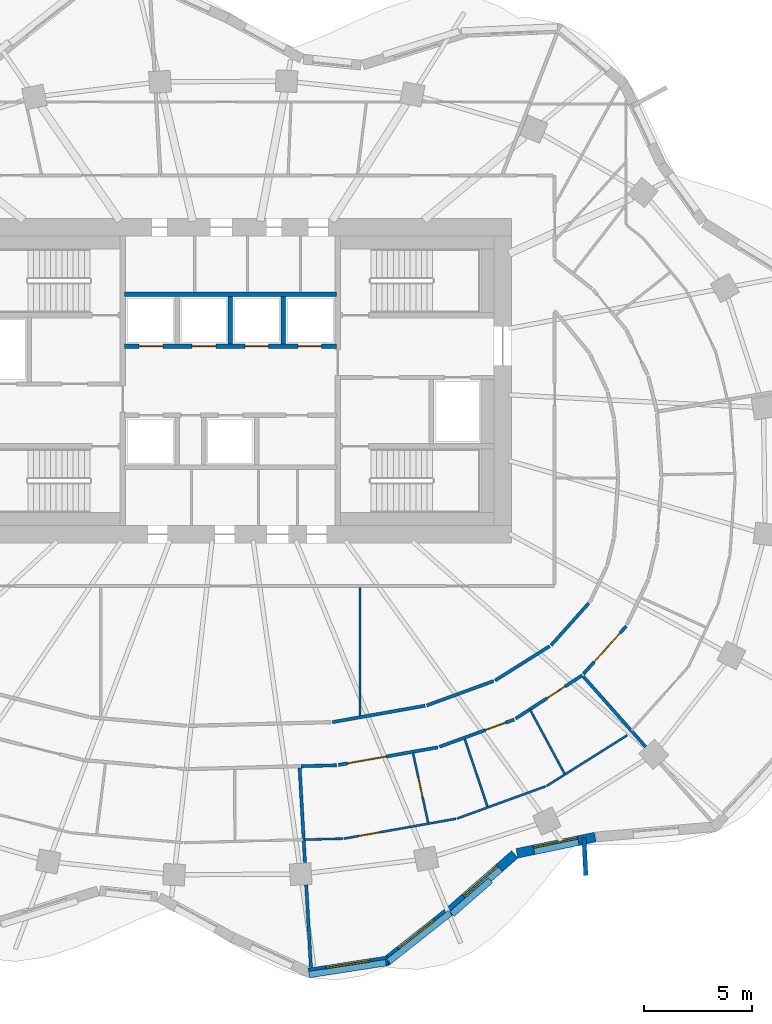
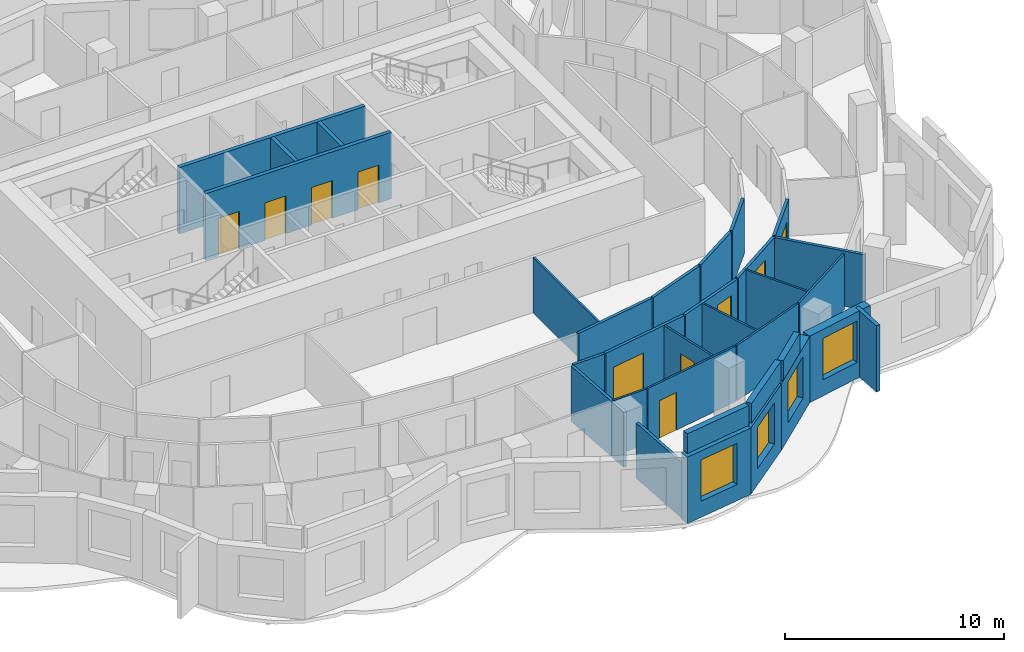
# One storey, part 6 of 12: 32 walls, 10 doors, 4 windows, 14 openings.
"""IFC4 building model written with IfcOpenShell, lengths in metres."""

import ifcopenshell
import ifcopenshell.guid

model = None  # the IFC model being written
_history = None  # IfcOwnerHistory: only IFC2X3 demands one
_inside = {}  # id of a spatial element -> (the spatial element, [elements in it])
_under = {}  # id of a project, library or spatial element -> (it, [spatial elements below it])
_declared = {}  # id of a project -> (the project, [libraries it declares])
_typed = {}  # id of a type object -> (the type object, [elements of that type])
_made_of = {}  # id of a material, layer set ... -> (it, [elements and type objects made of it])


def new_model(schema):
    """Start an empty IFC model of exactly this schema.

    Asked for "IFC4X3", IfcOpenShell would pick the latest addendum, in which some entities
    have other attributes; the version numbers below select the first issue.
    IFC2X3 requires an IfcOwnerHistory on every rooted entity: one is made here for all.
    """
    global model, _history
    if schema == "IFC4X3":
        model = ifcopenshell.file(schema_version=(4, 3, 0, 0))
    else:
        model = ifcopenshell.file(schema=schema)
    _inside.clear()
    _under.clear()
    _declared.clear()
    _typed.clear()
    _made_of.clear()
    _history = None
    if model.schema == "IFC2X3":
        org = make("IfcOrganization", Name="unknown")
        user = make(
            "IfcPersonAndOrganization",
            ThePerson=make("IfcPerson", FamilyName="unknown"),
            TheOrganization=org,
        )
        app = make(
            "IfcApplication",
            ApplicationDeveloper=org,
            Version="unknown",
            ApplicationFullName="unknown",
            ApplicationIdentifier="unknown",
        )
        _history = make(
            "IfcOwnerHistory",
            OwningUser=user,
            OwningApplication=app,
            ChangeAction="ADDED",
            CreationDate=0,
        )
    return model


def make(cls, **values):
    """One entity of the class cls with the attributes given. An attribute that is None is left unset."""
    return model.create_entity(
        cls, **{name: value for name, value in values.items() if value is not None}
    )


def rooted(cls, **values):
    """An entity with a GlobalId (a new one), such as an element, a storey or a relation."""
    return make(cls, GlobalId=ifcopenshell.guid.new(), OwnerHistory=_history, **values)


def si_unit(unit_type, name, prefix=None):
    """IfcSIUnit, for example si_unit("LENGTHUNIT", "METRE", prefix="MILLI")."""
    return make("IfcSIUnit", UnitType=unit_type, Prefix=prefix, Name=name)


def assignment(units):
    """IfcUnitAssignment: the units of a project."""
    return None if units is None else make("IfcUnitAssignment", Units=units)


def point(xyz):
    """IfcCartesianPoint."""
    return None if xyz is None else make("IfcCartesianPoint", Coordinates=xyz)


def direction(xyz):
    """IfcDirection."""
    return None if xyz is None else make("IfcDirection", DirectionRatios=xyz)


def frame(location, z_axis=None, x_axis=None):
    """IfcAxis2Placement3D, a coordinate frame: its origin and axes. An axis left out is left unset."""
    return make(
        "IfcAxis2Placement3D",
        Location=point(location),
        Axis=direction(z_axis),
        RefDirection=direction(x_axis),
    )


def frame_2d(location, x_axis=None):
    """IfcAxis2Placement2D, a coordinate frame in the plane: its origin and x axis."""
    return make(
        "IfcAxis2Placement2D", Location=point(location), RefDirection=direction(x_axis)
    )


def origin():
    """The frame at (0, 0, 0) with its axes left unset."""
    return frame((0.0, 0.0, 0.0))


def place(relative_to, where):
    """IfcLocalPlacement: puts the frame where relative to a parent placement (None: the world)."""
    return make(
        "IfcLocalPlacement", PlacementRelTo=relative_to, RelativePlacement=where
    )


def context(
    kind, dimensions, precision=None, world=None, true_north=None, identifier=None
):
    """IfcGeometricRepresentationContext, for example the 3D "Model" context."""
    return make(
        "IfcGeometricRepresentationContext",
        ContextIdentifier=identifier,
        ContextType=kind,
        CoordinateSpaceDimension=dimensions,
        Precision=precision,
        WorldCoordinateSystem=world,
        TrueNorth=true_north,
    )


def subcontext(parent, identifier, kind, view, scale=None):
    """IfcGeometricRepresentationSubContext, for example "Body" below "Model"."""
    return make(
        "IfcGeometricRepresentationSubContext",
        ContextIdentifier=identifier,
        ContextType=kind,
        ParentContext=parent,
        TargetScale=scale,
        TargetView=view,
    )


def project(units=None, contexts=None):
    """IfcProject with its units and contexts."""
    return rooted(
        "IfcProject",
        Name="project",
        RepresentationContexts=contexts,
        UnitsInContext=assignment(units),
    )


def spatial(cls, under=None, at=None, **own):
    """A site, building, storey or space (cls), placed at a placement, below another one or the project."""
    s = rooted(cls, ObjectPlacement=at, **own)
    if under is not None:
        _under.setdefault(under.id(), (under, []))[1].append(s)
    return s


def profile(cls, at=None, kind="AREA", **sizes):
    """A parametric profile (cls). Its sizes go by their IFC names, for example OverallWidth=200.0."""
    return make(cls, ProfileType=kind, Position=at, **sizes)


def rectangle(**sizes):
    """IfcRectangleProfileDef."""
    return profile("IfcRectangleProfileDef", **sizes)


def extrude(swept, where, along, depth):
    """IfcExtrudedAreaSolid: the profile swept, set in the frame where, extruded along a direction by depth."""
    return make(
        "IfcExtrudedAreaSolid",
        SweptArea=swept,
        Position=where,
        ExtrudedDirection=direction(along),
        Depth=depth,
    )


def shape(context_of_items, identifier, shape_type, items):
    """IfcShapeRepresentation: the items that make up one representation, for example the "Body"."""
    return make(
        "IfcShapeRepresentation",
        ContextOfItems=context_of_items,
        RepresentationIdentifier=identifier,
        RepresentationType=shape_type,
        Items=items,
    )


def material(Name=None, Category=None):
    """IfcMaterial."""
    return make("IfcMaterial", Name=Name, Category=Category)


def layer(
    of_material, thickness, ventilated=None, Name=None, Category=None, Priority=None
):
    """IfcMaterialLayer: one layer of a wall or slab, of a material (None: an air gap)."""
    return make(
        "IfcMaterialLayer",
        Material=of_material,
        LayerThickness=thickness,
        IsVentilated=ventilated,
        Name=Name,
        Category=Category,
        Priority=Priority,
    )


def layer_set(layers, Name=None):
    """IfcMaterialLayerSet."""
    return make("IfcMaterialLayerSet", MaterialLayers=layers, LayerSetName=Name)


def made_of(thing, what):
    """Note that an element or type object is made of a material, layer set ...; save() writes the relation."""
    if what is not None:
        _made_of.setdefault(what.id(), (what, []))[1].append(thing)
    return thing


def type_object(cls, material=None, **own):
    """A type object (cls), such as IfcWallType, which elements share."""
    return made_of(rooted(cls, **own), material)


def element(
    cls,
    number,
    at=None,
    inside=None,
    cuts=None,
    type_object=None,
    material=None,
    context=None,
    identifier="Body",
    shape_type=None,
    held_by="IfcProductDefinitionShape",
    body=None,
    shapes=None,
    **own,
):
    """One element of the class cls, such as IfcWall. Its Tag is "e" and its number.

    at: its placement. inside: the storey or other place that contains it. cuts: it is an
    opening in that element (IfcRelVoidsElement). A single representation is given by context,
    identifier, shape_type and body (its items); several are given by shapes. held_by: the class
    of the entity that holds the representations. save() writes the other relations.
    """
    e = rooted(cls, Tag="e%d" % number, ObjectPlacement=at, **own)
    if body is not None:
        shapes = [shape(context, identifier, shape_type, body)]
    if shapes is not None:
        e.Representation = make(held_by, Representations=shapes)
    if inside is not None:
        _inside.setdefault(inside.id(), (inside, []))[1].append(e)
    if cuts is not None:
        rooted(
            "IfcRelVoidsElement", RelatingBuildingElement=cuts, RelatedOpeningElement=e
        )
    if type_object is not None:
        _typed.setdefault(type_object.id(), (type_object, []))[1].append(e)
    return made_of(e, material)


def fill(opening, filler):
    """IfcRelFillsElement: the door or window that sits in an opening."""
    return rooted(
        "IfcRelFillsElement",
        RelatingOpeningElement=opening,
        RelatedBuildingElement=filler,
    )


def aggregate(whole, parts):
    """IfcRelAggregates: a whole, such as a stair, and the parts it consists of."""
    return rooted("IfcRelAggregates", RelatingObject=whole, RelatedObjects=parts)


def save(model, path):
    """Write the relations noted so far, then the file.

    IfcRelAggregates (storeys below a building ...), IfcRelContainedInSpatialStructure (elements
    in a storey), IfcRelDefinesByType, IfcRelAssociatesMaterial and IfcRelDeclares: one each for
    every whole, place, type object, material and project.
    """
    for whole, parts in _under.values():
        aggregate(whole, parts)
    for where, things in _inside.values():
        rooted(
            "IfcRelContainedInSpatialStructure",
            RelatedElements=things,
            RelatingStructure=where,
        )
    for kind, things in _typed.values():
        rooted("IfcRelDefinesByType", RelatedObjects=things, RelatingType=kind)
    for what, things in _made_of.values():
        rooted("IfcRelAssociatesMaterial", RelatedObjects=things, RelatingMaterial=what)
    for by, libraries in _declared.values():
        rooted("IfcRelDeclares", RelatingContext=by, RelatedDefinitions=libraries)
    model.write(path)


model = new_model("IFC4")

# Units and contexts
model_context = context("Model", 3, precision=1e-05, world=origin(), true_north=direction((0.0, 1.0)))
body_context = subcontext(model_context, "Body", "Model", "MODEL_VIEW")
ifc_project = project(units=[si_unit("LENGTHUNIT", "METRE"), si_unit("AREAUNIT", "SQUARE_METRE"), si_unit("VOLUMEUNIT", "CUBIC_METRE"), si_unit("PLANEANGLEUNIT", "RADIAN"), si_unit("MASSUNIT", "GRAM", prefix="KILO")], contexts=[model_context])

# Site, building, storey
site_placement = place(None, origin())
site = spatial("IfcSite", under=ifc_project, at=site_placement, CompositionType="ELEMENT")
building_placement = place(site_placement, origin())
building = spatial("IfcBuilding", under=site, at=building_placement, Name="Rubra Terraces Tower", CompositionType="ELEMENT")
storey_placement = place(building_placement, frame((0.0, 0.0, 201.300048828125)))
storey = spatial("IfcBuildingStorey", under=building, at=storey_placement, Name="L49", CompositionType="ELEMENT", Elevation=201.300048828125)

# Wall, opening, window
ifc_material_1 = material(Name="Brick masonry red-brown", Category="masonry")
ifc_layer_1 = layer(ifc_material_1, 0.449951171875)
ifc_layer_set_1 = layer_set([ifc_layer_1], Name="Brick masonry red-brown")
wall_type_1 = type_object("IfcWallType", Name="Brick facade wall 450", PredefinedType="SOLIDWALL", material=ifc_layer_set_1)
wall_1_placement = place(storey_placement, frame((3.628662109375, -22.904541015625, 0.0), z_axis=(0.0, 0.0, 1.0), x_axis=(0.988300084321, 0.152521943772, 0.0)))
wall_1 = element("IfcWall", 1, at=wall_1_placement, inside=storey, type_object=wall_type_1, Name="Facade wall L49 bay 32", PredefinedType="SOLIDWALL", context=body_context, shape_type="SweptSolid", body=[
    extrude(rectangle(XDim=3.71044921875, YDim=0.449951171875, at=frame_2d((1.855224609375, 0.0))), origin(), (0.0, 0.0, 1.0), 3.699951171875),
])
opening_1_placement = place(wall_1_placement, frame((0.80517578125, 0.0, 0.89990234375)))
opening_1 = element("IfcOpeningElement", 2, at=opening_1_placement, cuts=wall_1, Name="Opening W1B", PredefinedType="OPENING", context=body_context, shape_type="SweptSolid", body=[
    extrude(rectangle(XDim=2.10009765625, YDim=2.300048828125, at=frame_2d((1.050048828125, 1.14990234375))), frame((0.0, 0.23486328125, 0.0), z_axis=(0.0, -1.0, 0.0), x_axis=(1.0, 0.0, 0.0)), (0.0, 0.0, 1.0), 0.469970703125),
])
ifc_material_2 = material(Name="Clear glass in aluminium frame", Category="aluminium")
window_type = type_object("IfcWindowType", Name="Fixed deep-set window tall storey 2100 x 2300", PartitioningType="SINGLE_PANEL", PredefinedType="WINDOW", material=ifc_material_2)
window_1_placement = place(opening_1_placement, origin())
window_1 = element("IfcWindow", 3, at=window_1_placement, inside=storey, type_object=window_type, Name="Window L49 bay 32", OverallHeight=2.300048828125, OverallWidth=2.10009765625, PartitioningType="SINGLE_PANEL", PredefinedType="WINDOW", context=body_context, shape_type="SweptSolid", body=[
    extrude(rectangle(XDim=2.10009765625, YDim=2.300048828125, at=frame_2d((1.050048828125, 1.14990234375))), frame((0.0, 0.135009765625, 0.0), z_axis=(0.0, -1.0, 0.0), x_axis=(1.0, 0.0, 0.0)), (0.0, 0.0, 1.0), 0.06005859375),
])
fill(opening_1, window_1)

wall_2_placement = place(storey_placement, frame((7.192626953125, -22.3828125, 0.0), z_axis=(0.0, 0.0, 1.0), x_axis=(0.784803291184, 0.619744942816, 0.0)))
wall_2 = element("IfcWall", 4, at=wall_2_placement, inside=storey, type_object=wall_type_1, Name="Facade wall L49 bay 33", PredefinedType="SOLIDWALL", context=body_context, shape_type="SweptSolid", body=[
    extrude(rectangle(XDim=3.774658203125, YDim=0.449951171875, at=frame_2d((1.88720703125, 0.0))), origin(), (0.0, 0.0, 1.0), 3.699951171875),
])
opening_2_placement = place(wall_2_placement, frame((0.83740234375, 0.0, 0.89990234375)))
opening_2 = element("IfcOpeningElement", 5, at=opening_2_placement, cuts=wall_2, Name="Opening W1B", PredefinedType="OPENING", context=body_context, shape_type="SweptSolid", body=[
    extrude(rectangle(XDim=2.10009765625, YDim=2.300048828125, at=frame_2d((1.050048828125, 1.14990234375))), frame((0.0, 0.23486328125, 0.0), z_axis=(0.0, -1.0, 0.0), x_axis=(1.0, 0.0, 0.0)), (0.0, 0.0, 1.0), 0.469970703125),
])
window_2_placement = place(opening_2_placement, origin())
window_2 = element("IfcWindow", 6, at=window_2_placement, inside=storey, type_object=window_type, Name="Window L49 bay 33", OverallHeight=2.300048828125, OverallWidth=2.10009765625, PartitioningType="SINGLE_PANEL", PredefinedType="WINDOW", context=body_context, shape_type="SweptSolid", body=[
    extrude(rectangle(XDim=2.10009765625, YDim=2.300048828125, at=frame_2d((1.050048828125, 1.14990234375))), frame((0.0, 0.135009765625, 0.0), z_axis=(0.0, -1.0, 0.0), x_axis=(1.0, 0.0, 0.0)), (0.0, 0.0, 1.0), 0.06005859375),
])
fill(opening_2, window_2)

wall_3_placement = place(storey_placement, frame((10.146484375, -20.050537109375, 0.0), z_axis=(0.0, 0.0, 1.0), x_axis=(0.753278140428, 0.657702093013, 0.0)))
wall_3 = element("IfcWall", 7, at=wall_3_placement, inside=storey, type_object=wall_type_1, Name="Facade wall L49 bay 34", PredefinedType="SOLIDWALL", context=body_context, shape_type="SweptSolid", body=[
    extrude(rectangle(XDim=4.0078125, YDim=0.449951171875, at=frame_2d((2.00390625, 0.0))), origin(), (0.0, 0.0, 1.0), 3.699951171875),
])
opening_3_placement = place(wall_3_placement, frame((0.9541015625, 0.0, 0.89990234375)))
opening_3 = element("IfcOpeningElement", 8, at=opening_3_placement, cuts=wall_3, Name="Opening W1B", PredefinedType="OPENING", context=body_context, shape_type="SweptSolid", body=[
    extrude(rectangle(XDim=2.10009765625, YDim=2.300048828125, at=frame_2d((1.050048828125, 1.14990234375))), frame((0.0, 0.23486328125, 0.0), z_axis=(0.0, -1.0, 0.0), x_axis=(1.0, 0.0, 0.0)), (0.0, 0.0, 1.0), 0.469970703125),
])
window_3_placement = place(opening_3_placement, origin())
window_3 = element("IfcWindow", 9, at=window_3_placement, inside=storey, type_object=window_type, Name="Window L49 bay 34", OverallHeight=2.300048828125, OverallWidth=2.10009765625, PartitioningType="SINGLE_PANEL", PredefinedType="WINDOW", context=body_context, shape_type="SweptSolid", body=[
    extrude(rectangle(XDim=2.10009765625, YDim=2.300048828125, at=frame_2d((1.050048828125, 1.14990234375))), frame((0.0, 0.135009765625, 0.0), z_axis=(0.0, -1.0, 0.0), x_axis=(1.0, 0.0, 0.0)), (0.0, 0.0, 1.0), 0.06005859375),
])
fill(opening_3, window_3)

wall_4_placement = place(storey_placement, frame((13.2578125, -17.3671875, 0.0), z_axis=(0.0, 0.0, 1.0), x_axis=(0.97914968674, 0.203140077183, 0.0)))
wall_4 = element("IfcWall", 10, at=wall_4_placement, inside=storey, type_object=wall_type_1, Name="Facade wall L49 bay 35", PredefinedType="SOLIDWALL", context=body_context, shape_type="SweptSolid", body=[
    extrude(rectangle(XDim=3.700439453125, YDim=0.449951171875, at=frame_2d((1.85009765625, 0.0))), origin(), (0.0, 0.0, 1.0), 3.699951171875),
])
opening_4_placement = place(wall_4_placement, frame((0.80029296875, 0.0, 0.89990234375)))
opening_4 = element("IfcOpeningElement", 11, at=opening_4_placement, cuts=wall_4, Name="Opening W1B", PredefinedType="OPENING", context=body_context, shape_type="SweptSolid", body=[
    extrude(rectangle(XDim=2.10009765625, YDim=2.300048828125, at=frame_2d((1.050048828125, 1.14990234375))), frame((0.0, 0.23486328125, 0.0), z_axis=(0.0, -1.0, 0.0), x_axis=(1.0, 0.0, 0.0)), (0.0, 0.0, 1.0), 0.469970703125),
])
window_4_placement = place(opening_4_placement, origin())
window_4 = element("IfcWindow", 12, at=window_4_placement, inside=storey, type_object=window_type, Name="Window L49 bay 35", OverallHeight=2.300048828125, OverallWidth=2.10009765625, PartitioningType="SINGLE_PANEL", PredefinedType="WINDOW", context=body_context, shape_type="SweptSolid", body=[
    extrude(rectangle(XDim=2.10009765625, YDim=2.300048828125, at=frame_2d((1.050048828125, 1.14990234375))), frame((0.0, 0.135009765625, 0.0), z_axis=(0.0, -1.0, 0.0), x_axis=(1.0, 0.0, 0.0)), (0.0, 0.0, 1.0), 0.06005859375),
])
fill(opening_4, window_4)

# Walls
ifc_layer_2 = layer(ifc_material_1, 0.300048828125)
ifc_layer_set_2 = layer_set([ifc_layer_2], Name="Brick masonry red-brown")
wall_type_2 = type_object("IfcWallType", Name="Brick parapet 300", PredefinedType="PARAPET", material=ifc_layer_set_2)
wall_5_placement = place(storey_placement, frame((3.64013671875, -22.978759765625, 3.89990234375), z_axis=(0.0, 0.0, 1.0), x_axis=(0.988299486994, 0.152525814235, 0.0)))
element("IfcWall", 13, at=wall_5_placement, inside=storey, type_object=wall_type_2, Name="Parapet L49 bay 32", PredefinedType="PARAPET", context=body_context, shape_type="SweptSolid", body=[
    extrude(rectangle(XDim=3.6015625, YDim=0.300048828125, at=frame_2d((1.80078125, 0.0))), origin(), (0.0, 0.0, 1.0), 1.10009765625),
])
wall_6_placement = place(storey_placement, frame((7.322509765625, -22.375732421875, 3.89990234375), z_axis=(0.0, 0.0, 1.0), x_axis=(0.784819122577, 0.61972489448, 0.0)))
element("IfcWall", 14, at=wall_6_placement, inside=storey, type_object=wall_type_2, Name="Parapet L49 bay 33", PredefinedType="PARAPET", context=body_context, shape_type="SweptSolid", body=[
    extrude(rectangle(XDim=3.63330078125, YDim=0.300048828125, at=frame_2d((1.816650390625, 0.0))), origin(), (0.0, 0.0, 1.0), 1.10009765625),
])
wall_7_placement = place(storey_placement, frame((10.252197265625, -20.17431640625, 3.89990234375), z_axis=(0.0, 0.0, 1.0), x_axis=(0.753260147018, 0.657722700622, 0.0)))
element("IfcWall", 15, at=wall_7_placement, inside=storey, type_object=wall_type_2, Name="Parapet L49 bay 34", PredefinedType="PARAPET", context=body_context, shape_type="SweptSolid", body=[
    extrude(rectangle(XDim=2.366455078125, YDim=0.300048828125, at=frame_2d((1.18310546875, 0.0))), origin(), (0.0, 0.0, 1.0), 1.10009765625),
])
ifc_layer_3 = layer(ifc_material_1, 0.199951171875)
ifc_layer_set_3 = layer_set([ifc_layer_3], Name="Brick masonry red-brown")
wall_type_3 = type_object("IfcWallType", Name="Brick wind fin 200", PredefinedType="SOLIDWALL", material=ifc_layer_set_3)
wall_8_placement = place(storey_placement, frame((16.361083984375, -16.635986328125, 0.0), z_axis=(0.0, 0.0, 1.0), x_axis=(0.048552811097, -0.998820616795, 0.0)))
element("IfcWall", 16, at=wall_8_placement, inside=storey, type_object=wall_type_3, Name="Wind fin L49 21", PredefinedType="SOLIDWALL", context=body_context, shape_type="SweptSolid", body=[
    extrude(rectangle(XDim=1.749755859375, YDim=0.199951171875, at=frame_2d((0.875, 0.0))), origin(), (0.0, 0.0, 1.0), 3.699951171875),
])
ifc_material_3 = material(Name="Plasterboard on steel stud, mineral wool infill", Category="steel")
ifc_layer_4 = layer(ifc_material_3, 0.14990234375)
ifc_layer_set_4 = layer_set([ifc_layer_4], Name="Plasterboard on steel stud, mineral wool infill")
wall_type_4 = type_object("IfcWallType", Name="CORRIDOR PARTITION 150", PredefinedType="PARTITIONING", material=ifc_layer_set_4)
wall_9_placement = place(storey_placement, frame((3.27587890625, -13.3369140625, 0.0), z_axis=(0.0, 0.0, 1.0), x_axis=(0.999662995572, 0.025959493133, 0.0)))
element("IfcWall", 17, at=wall_9_placement, inside=storey, type_object=wall_type_4, Name="PARTITION", PredefinedType="PARTITIONING", context=body_context, shape_type="SweptSolid", body=[
    extrude(rectangle(XDim=1.645751953125, YDim=0.14990234375, at=frame_2d((0.82275390625, 0.0))), origin(), (0.0, 0.0, 1.0), 3.083984375),
])

# Wall, opening, door
wall_10_placement = place(storey_placement, frame((4.994873046875, -13.28125, 0.0), z_axis=(0.0, 0.0, 1.0), x_axis=(0.98463411377, 0.174630071865, 0.0)))
wall_10 = element("IfcWall", 18, at=wall_10_placement, inside=storey, type_object=wall_type_4, Name="PARTITION", PredefinedType="PARTITIONING", context=body_context, shape_type="SweptSolid", body=[
    extrude(rectangle(XDim=4.68212890625, YDim=0.14990234375, at=frame_2d((2.341064453125, 0.0))), origin(), (0.0, 0.0, 1.0), 3.083984375),
])
opening_5_placement = place(wall_10_placement, frame((0.449951171875, 0.0, 0.0)))
opening_5 = element("IfcOpeningElement", 19, at=opening_5_placement, cuts=wall_10, Name="Opening 49-124", PredefinedType="OPENING", context=body_context, shape_type="SweptSolid", body=[
    extrude(rectangle(XDim=1.800048828125, YDim=2.10009765625, at=frame_2d((0.89990234375, 1.050048828125))), frame((0.0, 0.0849609375, 0.0), z_axis=(0.0, -1.0, 0.0), x_axis=(1.0, 0.0, 0.0)), (0.0, 0.0, 1.0), 0.169921875),
])
ifc_material_4 = material(Name="Painted timber door leaf, double", Category="wood")
door_type_1 = type_object("IfcDoorType", Name="ROOM DOUBLE DOOR 1800 X 2100", OperationType="DOUBLE_DOOR_SINGLE_SWING", PredefinedType="DOOR", material=ifc_material_4)
door_1_placement = place(opening_5_placement, origin())
door_1 = element("IfcDoor", 20, at=door_1_placement, inside=storey, type_object=door_type_1, Name="DOOR 49-124", OperationType="DOUBLE_DOOR_SINGLE_SWING", OverallHeight=2.10009765625, OverallWidth=1.800048828125, PredefinedType="DOOR", context=body_context, shape_type="SweptSolid", body=[
    extrude(rectangle(XDim=1.800048828125, YDim=2.10009765625, at=frame_2d((0.89990234375, 1.050048828125))), frame((0.0, 0.02490234375, 0.0), z_axis=(0.0, -1.0, 0.0), x_axis=(1.0, 0.0, 0.0)), (0.0, 0.0, 1.0), 0.050048828125),
])
fill(opening_5, door_1)

wall_11_placement = place(storey_placement, frame((9.675537109375, -12.43798828125, 0.0), z_axis=(0.0, 0.0, 1.0), x_axis=(0.939640289748, 0.342163887461, 0.0)))
wall_11 = element("IfcWall", 21, at=wall_11_placement, inside=storey, type_object=wall_type_4, Name="PARTITION", PredefinedType="PARTITIONING", context=body_context, shape_type="SweptSolid", body=[
    extrude(rectangle(XDim=3.6796875, YDim=0.14990234375, at=frame_2d((1.83984375, 0.0))), origin(), (0.0, 0.0, 1.0), 3.083984375),
])
opening_6_placement = place(wall_11_placement, frame((2.25, 0.0, 0.0)))
opening_6 = element("IfcOpeningElement", 22, at=opening_6_placement, cuts=wall_11, Name="Opening 49-126", PredefinedType="OPENING", context=body_context, shape_type="SweptSolid", body=[
    extrude(rectangle(XDim=1.0, YDim=2.39990234375, at=frame_2d((0.5, 1.199951171875))), frame((0.0, 0.0849609375, 0.0), z_axis=(0.0, -1.0, 0.0), x_axis=(1.0, 0.0, 0.0)), (0.0, 0.0, 1.0), 0.169921875),
])
ifc_material_5 = material(Name="Glazed aluminium meeting door leaf", Category="aluminium")
door_type_2 = type_object("IfcDoorType", Name="MEETING ROOM GLAZED DOOR 1000 X 2400", OperationType="SINGLE_SWING_LEFT", PredefinedType="DOOR", material=ifc_material_5)
door_2_placement = place(opening_6_placement, origin())
door_2 = element("IfcDoor", 23, at=door_2_placement, inside=storey, type_object=door_type_2, Name="DOOR 49-126", OperationType="SINGLE_SWING_RIGHT", OverallHeight=2.39990234375, OverallWidth=1.0, PredefinedType="DOOR", context=body_context, shape_type="SweptSolid", body=[
    extrude(rectangle(XDim=1.0, YDim=2.39990234375, at=frame_2d((0.5, 1.199951171875))), frame((0.0, 0.02490234375, 0.0), z_axis=(0.0, -1.0, 0.0), x_axis=(1.0, 0.0, 0.0)), (0.0, 0.0, 1.0), 0.050048828125),
])
fill(opening_6, door_2)

wall_12_placement = place(storey_placement, frame((13.196044921875, -11.137939453125, 0.0), z_axis=(0.0, 0.0, 1.0), x_axis=(0.838161670129, 0.545421868582, 0.0)))
wall_12 = element("IfcWall", 24, at=wall_12_placement, inside=storey, type_object=wall_type_4, Name="PARTITION", PredefinedType="PARTITIONING", context=body_context, shape_type="SweptSolid", body=[
    extrude(rectangle(XDim=3.68115234375, YDim=0.14990234375, at=frame_2d((1.840576171875, 0.0))), origin(), (0.0, 0.0, 1.0), 3.083984375),
])
opening_7_placement = place(wall_12_placement, frame((1.736083984375, 0.0, 0.0)))
opening_7 = element("IfcOpeningElement", 25, at=opening_7_placement, cuts=wall_12, Name="Opening 49-127", PredefinedType="OPENING", context=body_context, shape_type="SweptSolid", body=[
    extrude(rectangle(XDim=1.0, YDim=2.39990234375, at=frame_2d((0.5, 1.199951171875))), frame((0.0, 0.0849609375, 0.0), z_axis=(0.0, -1.0, 0.0), x_axis=(1.0, 0.0, 0.0)), (0.0, 0.0, 1.0), 0.169921875),
])
door_3_placement = place(opening_7_placement, origin())
door_3 = element("IfcDoor", 26, at=door_3_placement, inside=storey, type_object=door_type_2, Name="DOOR 49-127", OperationType="SINGLE_SWING_RIGHT", OverallHeight=2.39990234375, OverallWidth=1.0, PredefinedType="DOOR", context=body_context, shape_type="SweptSolid", body=[
    extrude(rectangle(XDim=1.0, YDim=2.39990234375, at=frame_2d((0.5, 1.199951171875))), frame((0.0, 0.02490234375, 0.0), z_axis=(0.0, -1.0, 0.0), x_axis=(1.0, 0.0, 0.0)), (0.0, 0.0, 1.0), 0.050048828125),
])
fill(opening_7, door_3)

wall_13_placement = place(storey_placement, frame((16.33154296875, -9.07421875, 0.0), z_axis=(0.0, 0.0, 1.0), x_axis=(0.666900122351, 0.74514711756, 0.0)))
wall_13 = element("IfcWall", 27, at=wall_13_placement, inside=storey, type_object=wall_type_4, Name="PARTITION", PredefinedType="PARTITIONING", context=body_context, shape_type="SweptSolid", body=[
    extrude(rectangle(XDim=2.98291015625, YDim=0.14990234375, at=frame_2d((1.491455078125, 0.0))), origin(), (0.0, 0.0, 1.0), 3.083984375),
])
opening_8_placement = place(wall_13_placement, frame((0.75, 0.0, 0.0)))
opening_8 = element("IfcOpeningElement", 28, at=opening_8_placement, cuts=wall_13, Name="Opening 49-128", PredefinedType="OPENING", context=body_context, shape_type="SweptSolid", body=[
    extrude(rectangle(XDim=1.800048828125, YDim=2.10009765625, at=frame_2d((0.89990234375, 1.050048828125))), frame((0.0, 0.0849609375, 0.0), z_axis=(0.0, -1.0, 0.0), x_axis=(1.0, 0.0, 0.0)), (0.0, 0.0, 1.0), 0.169921875),
])
door_4_placement = place(opening_8_placement, origin())
door_4 = element("IfcDoor", 29, at=door_4_placement, inside=storey, type_object=door_type_1, Name="DOOR 49-128", OperationType="DOUBLE_DOOR_SINGLE_SWING", OverallHeight=2.10009765625, OverallWidth=1.800048828125, PredefinedType="DOOR", context=body_context, shape_type="SweptSolid", body=[
    extrude(rectangle(XDim=1.800048828125, YDim=2.10009765625, at=frame_2d((0.89990234375, 1.050048828125))), frame((0.0, 0.02490234375, 0.0), z_axis=(0.0, -1.0, 0.0), x_axis=(1.0, 0.0, 0.0)), (0.0, 0.0, 1.0), 0.050048828125),
])
fill(opening_8, door_4)

# Walls
wall_14_placement = place(storey_placement, frame((16.58740234375, -5.789306640625, 0.0), z_axis=(0.0, 0.0, 1.0), x_axis=(-0.666887460656, -0.745158449472, 0.0)))
element("IfcWall", 30, at=wall_14_placement, inside=storey, type_object=wall_type_4, Name="PARTITION", PredefinedType="PARTITIONING", context=body_context, shape_type="SweptSolid", body=[
    extrude(rectangle(XDim=2.6201171875, YDim=0.14990234375, at=frame_2d((1.31005859375, 0.0))), origin(), (0.0, 0.0, 1.0), 3.083984375),
])
wall_15_placement = place(storey_placement, frame((14.776611328125, -7.781494140625, 0.0), z_axis=(0.0, 0.0, 1.0), x_axis=(-0.846359741043, -0.532611667862, 0.0)))
element("IfcWall", 31, at=wall_15_placement, inside=storey, type_object=wall_type_4, Name="PARTITION", PredefinedType="PARTITIONING", context=body_context, shape_type="SweptSolid", body=[
    extrude(rectangle(XDim=2.9873046875, YDim=0.14990234375, at=frame_2d((1.49365234375, 0.0))), origin(), (0.0, 0.0, 1.0), 3.083984375),
])
wall_16_placement = place(storey_placement, frame((12.177734375, -9.398193359375, 0.0), z_axis=(0.0, 0.0, 1.0), x_axis=(-0.939609240084, -0.342249143093, 0.0)))
element("IfcWall", 32, at=wall_16_placement, inside=storey, type_object=wall_type_4, Name="PARTITION", PredefinedType="PARTITIONING", context=body_context, shape_type="SweptSolid", body=[
    extrude(rectangle(XDim=3.2919921875, YDim=0.14990234375, at=frame_2d((1.64599609375, 0.0))), origin(), (0.0, 0.0, 1.0), 3.083984375),
])
wall_17_placement = place(storey_placement, frame((9.010498046875, -10.5380859375, 0.0), z_axis=(0.0, 0.0, 1.0), x_axis=(-0.984645638575, -0.174565077936, 0.0)))
element("IfcWall", 33, at=wall_17_placement, inside=storey, type_object=wall_type_4, Name="PARTITION", PredefinedType="PARTITIONING", context=body_context, shape_type="SweptSolid", body=[
    extrude(rectangle(XDim=4.35791015625, YDim=0.14990234375, at=frame_2d((2.178955078125, 0.0))), origin(), (0.0, 0.0, 1.0), 3.083984375),
])

# Wall, openings, doors
ifc_material_6 = material(Name="Concrete C30", Category="concrete")
ifc_layer_5 = layer(ifc_material_6, 0.199951171875)
ifc_layer_set_5 = layer_set([ifc_layer_5], Name="Concrete C30")
wall_type_5 = type_object("IfcWallType", Name="Core wall 200 concrete", PredefinedType="SOLIDWALL", material=ifc_layer_set_5)
wall_18_placement = place(storey_placement, frame((-4.89990234375, 6.10009765625, 0.0), z_axis=(0.0, 0.0, 1.0), x_axis=(1.0, 0.0, 0.0)))
wall_18 = element("IfcWall", 34, at=wall_18_placement, inside=storey, type_object=wall_type_5, Name="LIFT SHAFT WALL L49", PredefinedType="SOLIDWALL", context=body_context, shape_type="SweptSolid", body=[
    extrude(rectangle(XDim=9.7998046875, YDim=0.199951171875, at=frame_2d((4.89990234375, 0.0))), origin(), (0.0, 0.0, 1.0), 3.699951171875),
])
opening_9_placement = place(wall_18_placement, frame((0.675048828125, 0.0, 0.0)))
opening_9 = element("IfcOpeningElement", 35, at=opening_9_placement, cuts=wall_18, Name="Opening L49.C17", PredefinedType="OPENING", context=body_context, shape_type="SweptSolid", body=[
    extrude(rectangle(XDim=1.10009765625, YDim=2.10009765625, at=frame_2d((0.550048828125, 1.050048828125))), frame((0.0, 0.10986328125, 0.0), z_axis=(0.0, -1.0, 0.0), x_axis=(1.0, 0.0, 0.0)), (0.0, 0.0, 1.0), 0.219970703125),
])
opening_10_placement = place(wall_18_placement, frame((3.125, 0.0, 0.0)))
opening_10 = element("IfcOpeningElement", 36, at=opening_10_placement, cuts=wall_18, Name="Opening L49.C18", PredefinedType="OPENING", context=body_context, shape_type="SweptSolid", body=[
    extrude(rectangle(XDim=1.10009765625, YDim=2.10009765625, at=frame_2d((0.550048828125, 1.050048828125))), frame((0.0, 0.10986328125, 0.0), z_axis=(0.0, -1.0, 0.0), x_axis=(1.0, 0.0, 0.0)), (0.0, 0.0, 1.0), 0.219970703125),
])
opening_11_placement = place(wall_18_placement, frame((5.574951171875, 0.0, 0.0)))
opening_11 = element("IfcOpeningElement", 37, at=opening_11_placement, cuts=wall_18, Name="Opening L49.C19", PredefinedType="OPENING", context=body_context, shape_type="SweptSolid", body=[
    extrude(rectangle(XDim=1.10009765625, YDim=2.10009765625, at=frame_2d((0.550048828125, 1.050048828125))), frame((0.0, 0.10986328125, 0.0), z_axis=(0.0, -1.0, 0.0), x_axis=(1.0, 0.0, 0.0)), (0.0, 0.0, 1.0), 0.219970703125),
])
opening_12_placement = place(wall_18_placement, frame((8.02490234375, 0.0, 0.0)))
opening_12 = element("IfcOpeningElement", 38, at=opening_12_placement, cuts=wall_18, Name="Opening L49.C20", PredefinedType="OPENING", context=body_context, shape_type="SweptSolid", body=[
    extrude(rectangle(XDim=1.10009765625, YDim=2.10009765625, at=frame_2d((0.550048828125, 1.050048828125))), frame((0.0, 0.10986328125, 0.0), z_axis=(0.0, -1.0, 0.0), x_axis=(1.0, 0.0, 0.0)), (0.0, 0.0, 1.0), 0.219970703125),
])
ifc_material_7 = material(Name="Stainless steel", Category="steel")
door_type_3 = type_object("IfcDoorType", Name="Lift landing door 1100x2100", OperationType="NOTDEFINED", PredefinedType="DOOR", material=ifc_material_7)
door_5_placement = place(opening_9_placement, origin())
door_5 = element("IfcDoor", 39, at=door_5_placement, inside=storey, type_object=door_type_3, Name="Landing door HB3", OperationType="SLIDING_TO_RIGHT", OverallHeight=2.10009765625, OverallWidth=1.10009765625, PredefinedType="DOOR", context=body_context, shape_type="SweptSolid", body=[
    extrude(rectangle(XDim=1.10009765625, YDim=2.10009765625, at=frame_2d((0.550048828125, 1.050048828125))), frame((0.0, 0.02490234375, 0.0), z_axis=(0.0, -1.0, 0.0), x_axis=(1.0, 0.0, 0.0)), (0.0, 0.0, 1.0), 0.050048828125),
])
fill(opening_9, door_5)
door_6_placement = place(opening_10_placement, origin())
door_6 = element("IfcDoor", 40, at=door_6_placement, inside=storey, type_object=door_type_3, Name="Landing door HB4", OperationType="SLIDING_TO_LEFT", OverallHeight=2.10009765625, OverallWidth=1.10009765625, PredefinedType="DOOR", context=body_context, shape_type="SweptSolid", body=[
    extrude(rectangle(XDim=1.10009765625, YDim=2.10009765625, at=frame_2d((0.550048828125, 1.050048828125))), frame((0.0, 0.02490234375, 0.0), z_axis=(0.0, -1.0, 0.0), x_axis=(1.0, 0.0, 0.0)), (0.0, 0.0, 1.0), 0.050048828125),
])
fill(opening_10, door_6)
door_7_placement = place(opening_11_placement, origin())
door_7 = element("IfcDoor", 41, at=door_7_placement, inside=storey, type_object=door_type_3, Name="Landing door HB5", OperationType="SLIDING_TO_RIGHT", OverallHeight=2.10009765625, OverallWidth=1.10009765625, PredefinedType="DOOR", context=body_context, shape_type="SweptSolid", body=[
    extrude(rectangle(XDim=1.10009765625, YDim=2.10009765625, at=frame_2d((0.550048828125, 1.050048828125))), frame((0.0, 0.02490234375, 0.0), z_axis=(0.0, -1.0, 0.0), x_axis=(1.0, 0.0, 0.0)), (0.0, 0.0, 1.0), 0.050048828125),
])
fill(opening_11, door_7)
door_8_placement = place(opening_12_placement, origin())
door_8 = element("IfcDoor", 42, at=door_8_placement, inside=storey, type_object=door_type_3, Name="Landing door HB6", OperationType="SLIDING_TO_LEFT", OverallHeight=2.10009765625, OverallWidth=1.10009765625, PredefinedType="DOOR", context=body_context, shape_type="SweptSolid", body=[
    extrude(rectangle(XDim=1.10009765625, YDim=2.10009765625, at=frame_2d((0.550048828125, 1.050048828125))), frame((0.0, 0.02490234375, 0.0), z_axis=(0.0, -1.0, 0.0), x_axis=(1.0, 0.0, 0.0)), (0.0, 0.0, 1.0), 0.050048828125),
])
fill(opening_12, door_8)

# Walls
wall_19_placement = place(storey_placement, frame((-4.89990234375, 8.5, 0.0), z_axis=(0.0, 0.0, 1.0), x_axis=(1.0, 0.0, 0.0)))
element("IfcWall", 43, at=wall_19_placement, inside=storey, type_object=wall_type_5, Name="LIFT SHAFT WALL L49", PredefinedType="SOLIDWALL", context=body_context, shape_type="SweptSolid", body=[
    extrude(rectangle(XDim=9.7998046875, YDim=0.199951171875, at=frame_2d((4.89990234375, 0.0))), origin(), (0.0, 0.0, 1.0), 3.699951171875),
])
for number, where, z_axis, x_axis, name in (
    (44, (0.0, 6.199951171875, 0.0), (0.0, 0.0, 1.0), (0.0, 1.0, 0.0), "LIFT SHAFT WALL L49"),
    (45, (2.449951171875, 6.199951171875, 0.0), (0.0, 0.0, 1.0), (0.0, 1.0, 0.0), "LIFT SHAFT WALL L49"),
):
    element("IfcWall", number, at=place(storey_placement, frame(where, z_axis=z_axis, x_axis=x_axis)), inside=storey, type_object=wall_type_5, Name=name, PredefinedType="SOLIDWALL", context=body_context, shape_type="SweptSolid", body=[
        extrude(rectangle(XDim=2.199951171875, YDim=0.199951171875, at=frame_2d((1.10009765625, 0.0))), origin(), (0.0, 0.0, 1.0), 3.699951171875),
    ])
ifc_material_8 = material(Name="Plasterboard on steel stud", Category="steel")
ifc_layer_6 = layer(ifc_material_8, 0.10009765625)
ifc_layer_set_6 = layer_set([ifc_layer_6], Name="Plasterboard on steel stud")
wall_type_6 = type_object("IfcWallType", Name="ROOM PARTITION 100", PredefinedType="PARTITIONING", material=ifc_layer_set_6)
wall_20_placement = place(storey_placement, frame((18.35791015625, -11.908203125, 0.0), z_axis=(0.0, 0.0, 1.0), x_axis=(-0.846371924556, -0.532592306857, 0.0)))
element("IfcWall", 46, at=wall_20_placement, inside=storey, type_object=wall_type_6, Name="PARTITION", PredefinedType="PARTITIONING", context=body_context, shape_type="SweptSolid", body=[
    extrude(rectangle(XDim=4.39599609375, YDim=0.10009765625, at=frame_2d((2.197998046875, 0.0))), origin(), (0.0, 0.0, 1.0), 3.083984375),
])
wall_21_placement = place(storey_placement, frame((14.590087890625, -14.2666015625, 0.0), z_axis=(0.0, 0.0, 1.0), x_axis=(-0.939623405418, -0.342210251148, 0.0)))
element("IfcWall", 47, at=wall_21_placement, inside=storey, type_object=wall_type_6, Name="PARTITION", PredefinedType="PARTITIONING", context=body_context, shape_type="SweptSolid", body=[
    extrude(rectangle(XDim=4.36328125, YDim=0.10009765625, at=frame_2d((2.181640625, 0.0))), origin(), (0.0, 0.0, 1.0), 3.083984375),
])

# Wall, opening, door
wall_22_placement = place(storey_placement, frame((10.441162109375, -15.7685546875, 0.0), z_axis=(0.0, 0.0, 1.0), x_axis=(-0.984642067447, -0.174585219919, 0.0)))
wall_22 = element("IfcWall", 48, at=wall_22_placement, inside=storey, type_object=wall_type_6, Name="PARTITION", PredefinedType="PARTITIONING", context=body_context, shape_type="SweptSolid", body=[
    extrude(rectangle(XDim=5.258056640625, YDim=0.10009765625, at=frame_2d((2.62890625, 0.0))), origin(), (0.0, 0.0, 1.0), 3.083984375),
])
opening_13_placement = place(wall_22_placement, frame((3.569091796875, 0.0, 0.0)))
opening_13 = element("IfcOpeningElement", 49, at=opening_13_placement, cuts=wall_22, Name="Opening 49-125", PredefinedType="OPENING", context=body_context, shape_type="SweptSolid", body=[
    extrude(rectangle(XDim=1.0, YDim=2.10009765625, at=frame_2d((0.5, 1.050048828125))), frame((0.0, 0.06005859375, 0.0), z_axis=(0.0, -1.0, 0.0), x_axis=(1.0, 0.0, 0.0)), (0.0, 0.0, 1.0), 0.1201171875),
])
ifc_material_9 = material(Name="Painted timber door leaf", Category="wood")
door_type_4 = type_object("IfcDoorType", Name="ROOM DOOR 1000 X 2100", OperationType="SINGLE_SWING_LEFT", PredefinedType="DOOR", material=ifc_material_9)
door_9_placement = place(opening_13_placement, origin())
door_9 = element("IfcDoor", 50, at=door_9_placement, inside=storey, type_object=door_type_4, Name="DOOR 49-125", OperationType="SINGLE_SWING_LEFT", OverallHeight=2.10009765625, OverallWidth=1.0, PredefinedType="DOOR", context=body_context, shape_type="SweptSolid", body=[
    extrude(rectangle(XDim=1.0, YDim=2.10009765625, at=frame_2d((0.5, 1.050048828125))), frame((0.0, 0.02490234375, 0.0), z_axis=(0.0, -1.0, 0.0), x_axis=(1.0, 0.0, 0.0)), (0.0, 0.0, 1.0), 0.050048828125),
])
fill(opening_13, door_9)

# Wall
wall_23_placement = place(storey_placement, frame((5.2138671875, -16.687744140625, 0.0), z_axis=(0.0, 0.0, 1.0), x_axis=(-0.999661565486, -0.026014505364, 0.0)))
element("IfcWall", 51, at=wall_23_placement, inside=storey, type_object=wall_type_6, Name="PARTITION", PredefinedType="PARTITIONING", context=body_context, shape_type="SweptSolid", body=[
    extrude(rectangle(XDim=1.8017578125, YDim=0.10009765625, at=frame_2d((0.90087890625, 0.0))), origin(), (0.0, 0.0, 1.0), 3.083984375),
])

# Wall, opening, door
wall_24_placement = place(storey_placement, frame((8.45458984375, -12.743896484375, 0.0), z_axis=(0.0, 0.0, 1.0), x_axis=(0.212519326974, -0.977156863386, 0.0)))
wall_24 = element("IfcWall", 52, at=wall_24_placement, inside=storey, type_object=wall_type_6, Name="PARTITION", PredefinedType="PARTITIONING", context=body_context, shape_type="SweptSolid", body=[
    extrude(rectangle(XDim=3.277587890625, YDim=0.10009765625, at=frame_2d((1.638671875, 0.0))), origin(), (0.0, 0.0, 1.0), 3.083984375),
])
opening_14_placement = place(wall_24_placement, frame((1.14990234375, 0.0, 0.0)))
opening_14 = element("IfcOpeningElement", 53, at=opening_14_placement, cuts=wall_24, Name="Opening 49-146", PredefinedType="OPENING", context=body_context, shape_type="SweptSolid", body=[
    extrude(rectangle(XDim=0.89990234375, YDim=2.10009765625, at=frame_2d((0.449951171875, 1.050048828125))), frame((0.0, 0.06005859375, 0.0), z_axis=(0.0, -1.0, 0.0), x_axis=(1.0, 0.0, 0.0)), (0.0, 0.0, 1.0), 0.1201171875),
])
door_type_5 = type_object("IfcDoorType", Name="BATHROOM DOOR 900 X 2100", OperationType="SINGLE_SWING_LEFT", PredefinedType="DOOR", material=ifc_material_9)
door_10_placement = place(opening_14_placement, origin())
door_10 = element("IfcDoor", 54, at=door_10_placement, inside=storey, type_object=door_type_5, Name="DOOR 49-146", OperationType="SINGLE_SWING_LEFT", OverallHeight=2.10009765625, OverallWidth=0.89990234375, PredefinedType="DOOR", context=body_context, shape_type="SweptSolid", body=[
    extrude(rectangle(XDim=0.89990234375, YDim=2.10009765625, at=frame_2d((0.449951171875, 1.050048828125))), frame((0.0, 0.02490234375, 0.0), z_axis=(0.0, -1.0, 0.0), x_axis=(1.0, 0.0, 0.0)), (0.0, 0.0, 1.0), 0.050048828125),
])
fill(opening_14, door_10)

# Walls
wall_25_placement = place(storey_placement, frame((10.848876953125, -12.090576171875, 0.0), z_axis=(0.0, 0.0, 1.0), x_axis=(0.319043433682, -0.94774009487, 0.0)))
element("IfcWall", 55, at=wall_25_placement, inside=storey, type_object=wall_type_6, Name="PARTITION", PredefinedType="PARTITIONING", context=body_context, shape_type="SweptSolid", body=[
    extrude(rectangle(XDim=3.27587890625, YDim=0.10009765625, at=frame_2d((1.637939453125, 0.0))), origin(), (0.0, 0.0, 1.0), 3.083984375),
])
wall_26_placement = place(storey_placement, frame((13.865478515625, -10.718017578125, 0.0), z_axis=(0.0, 0.0, 1.0), x_axis=(0.474286256433, -0.880370687244, 0.0)))
element("IfcWall", 56, at=wall_26_placement, inside=storey, type_object=wall_type_6, Name="PARTITION", PredefinedType="PARTITIONING", context=body_context, shape_type="SweptSolid", body=[
    extrude(rectangle(XDim=3.357666015625, YDim=0.10009765625, at=frame_2d((1.6787109375, 0.0))), origin(), (0.0, 0.0, 1.0), 3.083984375),
])
wall_27_placement = place(storey_placement, frame((6.0, -10.996826171875, 0.0), z_axis=(0.0, 0.0, 1.0), x_axis=(0.0, 1.0, 0.0)))
element("IfcWall", 57, at=wall_27_placement, inside=storey, type_object=wall_type_6, Name="PARTITION", PredefinedType="PARTITIONING", context=body_context, shape_type="SweptSolid", body=[
    extrude(rectangle(XDim=5.921875, YDim=0.10009765625, at=frame_2d((2.9609375, 0.0))), origin(), (0.0, 0.0, 1.0), 3.083984375),
])
ifc_layer_7 = layer(ifc_material_8, 0.14990234375)
ifc_layer_set_7 = layer_set([ifc_layer_7], Name="Plasterboard on steel stud")
wall_type_7 = type_object("IfcWallType", Name="ROOM PARTITION 150", PredefinedType="PARTITIONING", material=ifc_layer_set_7)
wall_28_placement = place(storey_placement, frame((3.726806640625, -22.6572265625, 0.0), z_axis=(0.0, 0.0, 1.0), x_axis=(-0.056374181452, 0.998409711324, 0.0)))
element("IfcWall", 58, at=wall_28_placement, inside=storey, type_object=wall_type_7, Name="PARTITION", PredefinedType="PARTITIONING", context=body_context, shape_type="SweptSolid", body=[
    extrude(rectangle(XDim=3.828369140625, YDim=0.14990234375, at=frame_2d((1.9140625, 0.0))), origin(), (0.0, 0.0, 1.0), 3.083984375),
])
wall_29_placement = place(storey_placement, frame((3.452392578125, -17.79638671875, 0.0), z_axis=(0.0, 0.0, 1.0), x_axis=(-0.056341757652, 0.998411541572, 0.0)))
element("IfcWall", 59, at=wall_29_placement, inside=storey, type_object=wall_type_7, Name="PARTITION", PredefinedType="PARTITIONING", context=body_context, shape_type="SweptSolid", body=[
    extrude(rectangle(XDim=4.3896484375, YDim=0.14990234375, at=frame_2d((2.19482421875, 0.0))), origin(), (0.0, 0.0, 1.0), 3.083984375),
])
wall_30_placement = place(storey_placement, frame((19.209716796875, -12.435302734375, 0.0), z_axis=(0.0, 0.0, 1.0), x_axis=(-0.663127094929, 0.748506817584, 0.0)))
element("IfcWall", 60, at=wall_30_placement, inside=storey, type_object=wall_type_7, Name="PARTITION", PredefinedType="PARTITIONING", context=body_context, shape_type="SweptSolid", body=[
    extrude(rectangle(XDim=4.340576171875, YDim=0.14990234375, at=frame_2d((2.17041015625, 0.0))), origin(), (0.0, 0.0, 1.0), 3.083984375),
])

save(model, "model.ifc")
